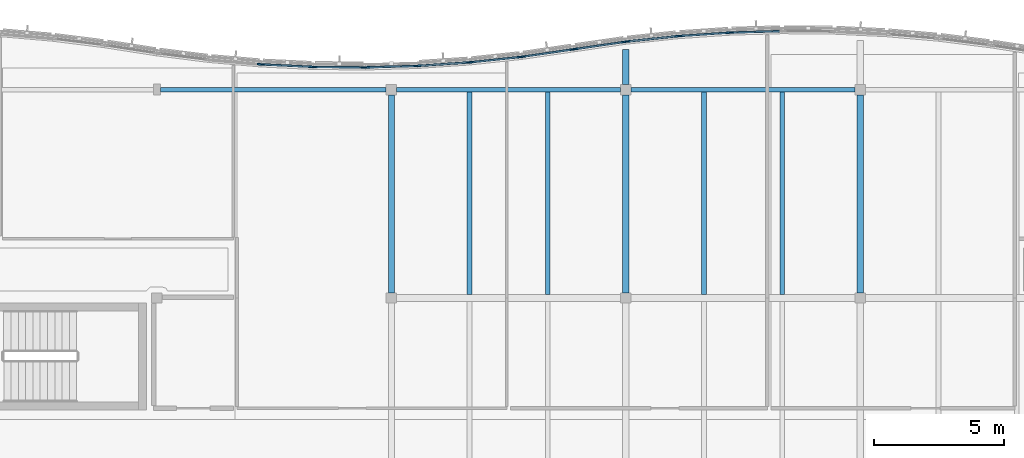
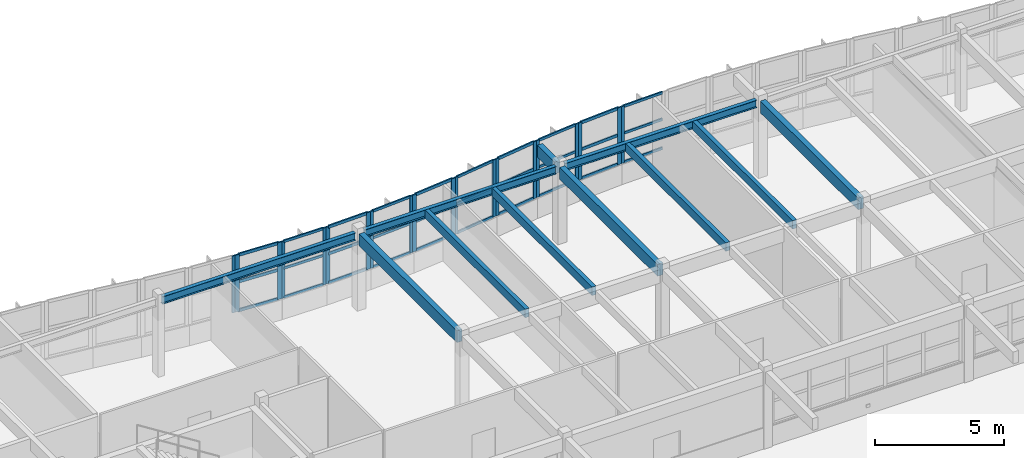
# One storey, part 18 of 63: 50 members, 11 beams, 11 elements without a shape of their own.
"""IFC4 building model written with IfcOpenShell, lengths in metres."""

import ifcopenshell
import ifcopenshell.guid

model = None  # the IFC model being written
_history = None  # IfcOwnerHistory: only IFC2X3 demands one
_inside = {}  # id of a spatial element -> (the spatial element, [elements in it])
_under = {}  # id of a project, library or spatial element -> (it, [spatial elements below it])
_declared = {}  # id of a project -> (the project, [libraries it declares])
_typed = {}  # id of a type object -> (the type object, [elements of that type])
_made_of = {}  # id of a material, layer set ... -> (it, [elements and type objects made of it])


def new_model(schema):
    """Start an empty IFC model of exactly this schema.

    Asked for "IFC4X3", IfcOpenShell would pick the latest addendum, in which some entities
    have other attributes; the version numbers below select the first issue.
    IFC2X3 requires an IfcOwnerHistory on every rooted entity: one is made here for all.
    """
    global model, _history
    if schema == "IFC4X3":
        model = ifcopenshell.file(schema_version=(4, 3, 0, 0))
    else:
        model = ifcopenshell.file(schema=schema)
    _inside.clear()
    _under.clear()
    _declared.clear()
    _typed.clear()
    _made_of.clear()
    _history = None
    if model.schema == "IFC2X3":
        org = make("IfcOrganization", Name="unknown")
        user = make(
            "IfcPersonAndOrganization",
            ThePerson=make("IfcPerson", FamilyName="unknown"),
            TheOrganization=org,
        )
        app = make(
            "IfcApplication",
            ApplicationDeveloper=org,
            Version="unknown",
            ApplicationFullName="unknown",
            ApplicationIdentifier="unknown",
        )
        _history = make(
            "IfcOwnerHistory",
            OwningUser=user,
            OwningApplication=app,
            ChangeAction="ADDED",
            CreationDate=0,
        )
    return model


def make(cls, **values):
    """One entity of the class cls with the attributes given. An attribute that is None is left unset."""
    return model.create_entity(
        cls, **{name: value for name, value in values.items() if value is not None}
    )


def rooted(cls, **values):
    """An entity with a GlobalId (a new one), such as an element, a storey or a relation."""
    return make(cls, GlobalId=ifcopenshell.guid.new(), OwnerHistory=_history, **values)


def si_unit(unit_type, name, prefix=None):
    """IfcSIUnit, for example si_unit("LENGTHUNIT", "METRE", prefix="MILLI")."""
    return make("IfcSIUnit", UnitType=unit_type, Prefix=prefix, Name=name)


def assignment(units):
    """IfcUnitAssignment: the units of a project."""
    return None if units is None else make("IfcUnitAssignment", Units=units)


def point(xyz):
    """IfcCartesianPoint."""
    return None if xyz is None else make("IfcCartesianPoint", Coordinates=xyz)


def direction(xyz):
    """IfcDirection."""
    return None if xyz is None else make("IfcDirection", DirectionRatios=xyz)


def frame(location, z_axis=None, x_axis=None):
    """IfcAxis2Placement3D, a coordinate frame: its origin and axes. An axis left out is left unset."""
    return make(
        "IfcAxis2Placement3D",
        Location=point(location),
        Axis=direction(z_axis),
        RefDirection=direction(x_axis),
    )


def frame_2d(location, x_axis=None):
    """IfcAxis2Placement2D, a coordinate frame in the plane: its origin and x axis."""
    return make(
        "IfcAxis2Placement2D", Location=point(location), RefDirection=direction(x_axis)
    )


def origin():
    """The frame at (0, 0, 0) with its axes left unset."""
    return frame((0.0, 0.0, 0.0))


def origin_2d():
    """The frame at (0, 0) in the plane with its x axis left unset."""
    return frame_2d((0.0, 0.0))


def place(relative_to, where):
    """IfcLocalPlacement: puts the frame where relative to a parent placement (None: the world)."""
    return make(
        "IfcLocalPlacement", PlacementRelTo=relative_to, RelativePlacement=where
    )


def context(
    kind, dimensions, precision=None, world=None, true_north=None, identifier=None
):
    """IfcGeometricRepresentationContext, for example the 3D "Model" context."""
    return make(
        "IfcGeometricRepresentationContext",
        ContextIdentifier=identifier,
        ContextType=kind,
        CoordinateSpaceDimension=dimensions,
        Precision=precision,
        WorldCoordinateSystem=world,
        TrueNorth=true_north,
    )


def subcontext(parent, identifier, kind, view, scale=None):
    """IfcGeometricRepresentationSubContext, for example "Body" below "Model"."""
    return make(
        "IfcGeometricRepresentationSubContext",
        ContextIdentifier=identifier,
        ContextType=kind,
        ParentContext=parent,
        TargetScale=scale,
        TargetView=view,
    )


def project(units=None, contexts=None):
    """IfcProject with its units and contexts."""
    return rooted(
        "IfcProject",
        Name="project",
        RepresentationContexts=contexts,
        UnitsInContext=assignment(units),
    )


def spatial(cls, under=None, at=None, **own):
    """A site, building, storey or space (cls), placed at a placement, below another one or the project."""
    s = rooted(cls, ObjectPlacement=at, **own)
    if under is not None:
        _under.setdefault(under.id(), (under, []))[1].append(s)
    return s


def profile(cls, at=None, kind="AREA", **sizes):
    """A parametric profile (cls). Its sizes go by their IFC names, for example OverallWidth=200.0."""
    return make(cls, ProfileType=kind, Position=at, **sizes)


def rectangle(**sizes):
    """IfcRectangleProfileDef."""
    return profile("IfcRectangleProfileDef", **sizes)


def i_section(**sizes):
    """IfcIShapeProfileDef."""
    return profile("IfcIShapeProfileDef", **sizes)


def extrude(swept, where, along, depth):
    """IfcExtrudedAreaSolid: the profile swept, set in the frame where, extruded along a direction by depth."""
    return make(
        "IfcExtrudedAreaSolid",
        SweptArea=swept,
        Position=where,
        ExtrudedDirection=direction(along),
        Depth=depth,
    )


def shape(context_of_items, identifier, shape_type, items):
    """IfcShapeRepresentation: the items that make up one representation, for example the "Body"."""
    return make(
        "IfcShapeRepresentation",
        ContextOfItems=context_of_items,
        RepresentationIdentifier=identifier,
        RepresentationType=shape_type,
        Items=items,
    )


def material(Name=None, Category=None):
    """IfcMaterial."""
    return make("IfcMaterial", Name=Name, Category=Category)


def layer(
    of_material, thickness, ventilated=None, Name=None, Category=None, Priority=None
):
    """IfcMaterialLayer: one layer of a wall or slab, of a material (None: an air gap)."""
    return make(
        "IfcMaterialLayer",
        Material=of_material,
        LayerThickness=thickness,
        IsVentilated=ventilated,
        Name=Name,
        Category=Category,
        Priority=Priority,
    )


def layer_set(layers, Name=None):
    """IfcMaterialLayerSet."""
    return make("IfcMaterialLayerSet", MaterialLayers=layers, LayerSetName=Name)


def material_profile(
    of_material, cross_section, Name=None, Category=None, Priority=None
):
    """IfcMaterialProfile: a cross section and its material."""
    return make(
        "IfcMaterialProfile",
        Name=Name,
        Material=of_material,
        Profile=cross_section,
        Priority=Priority,
        Category=Category,
    )


def profile_set(profiles, Name=None, composite=None):
    """IfcMaterialProfileSet."""
    return make(
        "IfcMaterialProfileSet",
        Name=Name,
        MaterialProfiles=profiles,
        CompositeProfile=composite,
    )


def made_of(thing, what):
    """Note that an element or type object is made of a material, layer set ...; save() writes the relation."""
    if what is not None:
        _made_of.setdefault(what.id(), (what, []))[1].append(thing)
    return thing


def type_object(cls, material=None, **own):
    """A type object (cls), such as IfcWallType, which elements share."""
    return made_of(rooted(cls, **own), material)


def element(
    cls,
    number,
    at=None,
    inside=None,
    cuts=None,
    type_object=None,
    material=None,
    context=None,
    identifier="Body",
    shape_type=None,
    held_by="IfcProductDefinitionShape",
    body=None,
    shapes=None,
    **own,
):
    """One element of the class cls, such as IfcWall. Its Tag is "e" and its number.

    at: its placement. inside: the storey or other place that contains it. cuts: it is an
    opening in that element (IfcRelVoidsElement). A single representation is given by context,
    identifier, shape_type and body (its items); several are given by shapes. held_by: the class
    of the entity that holds the representations. save() writes the other relations.
    """
    e = rooted(cls, Tag="e%d" % number, ObjectPlacement=at, **own)
    if body is not None:
        shapes = [shape(context, identifier, shape_type, body)]
    if shapes is not None:
        e.Representation = make(held_by, Representations=shapes)
    if inside is not None:
        _inside.setdefault(inside.id(), (inside, []))[1].append(e)
    if cuts is not None:
        rooted(
            "IfcRelVoidsElement", RelatingBuildingElement=cuts, RelatedOpeningElement=e
        )
    if type_object is not None:
        _typed.setdefault(type_object.id(), (type_object, []))[1].append(e)
    return made_of(e, material)


def aggregate(whole, parts):
    """IfcRelAggregates: a whole, such as a stair, and the parts it consists of."""
    return rooted("IfcRelAggregates", RelatingObject=whole, RelatedObjects=parts)


def save(model, path):
    """Write the relations noted so far, then the file.

    IfcRelAggregates (storeys below a building ...), IfcRelContainedInSpatialStructure (elements
    in a storey), IfcRelDefinesByType, IfcRelAssociatesMaterial and IfcRelDeclares: one each for
    every whole, place, type object, material and project.
    """
    for whole, parts in _under.values():
        aggregate(whole, parts)
    for where, things in _inside.values():
        rooted(
            "IfcRelContainedInSpatialStructure",
            RelatedElements=things,
            RelatingStructure=where,
        )
    for kind, things in _typed.values():
        rooted("IfcRelDefinesByType", RelatedObjects=things, RelatingType=kind)
    for what, things in _made_of.values():
        rooted("IfcRelAssociatesMaterial", RelatedObjects=things, RelatingMaterial=what)
    for by, libraries in _declared.values():
        rooted("IfcRelDeclares", RelatingContext=by, RelatedDefinitions=libraries)
    model.write(path)


model = new_model("IFC4")

# Units and contexts
model_context = context("Model", 3, precision=1e-05, world=origin(), true_north=direction((0.0, 1.0)))
body_context = subcontext(model_context, "Body", "Model", "MODEL_VIEW")
ifc_project = project(units=[si_unit("LENGTHUNIT", "METRE"), si_unit("AREAUNIT", "SQUARE_METRE"), si_unit("VOLUMEUNIT", "CUBIC_METRE"), si_unit("PLANEANGLEUNIT", "RADIAN"), si_unit("MASSUNIT", "GRAM", prefix="KILO")], contexts=[model_context])

# Site, building, storey
site_placement = place(None, origin())
site = spatial("IfcSite", under=ifc_project, at=site_placement, CompositionType="ELEMENT")
building_placement = place(site_placement, origin())
building = spatial("IfcBuilding", under=site, at=building_placement, Name="Tonlespit Floodbar School", CompositionType="ELEMENT")
storey_placement = place(building_placement, frame((0.0, 0.0, 8.39990234375)))
storey = spatial("IfcBuildingStorey", under=building, at=storey_placement, Name="L02", CompositionType="ELEMENT", Elevation=8.39990234375)

# Beams
ifc_material_1 = material(Name="Glulam GL28h", Category="wood")
ifc_material_profile_1 = material_profile(ifc_material_1, rectangle(XDim=0.239990234375, YDim=0.56005859375, at=origin_2d()), Name="GL 240x560")
ifc_profile_set_1 = profile_set([ifc_material_profile_1], Name="Glulam GL28h")
beam_type_1 = type_object("IfcBeamType", Name="Beam_GL_240x560", PredefinedType="BEAM", material=ifc_profile_set_1)
for number, where, z_axis, x_axis, name in (
    (1, (71.0, 112.199951171875, 3.3701171875), (0.0, 1.0, 0.0), (-1.0, 0.0, 0.0), "L02 girder 1038"),
    (2, (80.0, 112.199951171875, 3.3701171875), (0.0, 1.0, 0.0), (-1.0, 0.0, 0.0), "L02 girder 1040"),
    (3, (89.0, 112.199951171875, 3.3701171875), (0.0, 1.0, 0.0), (-1.0, 0.0, 0.0), "L02 girder 1042"),
):
    element("IfcBeam", number, at=place(storey_placement, frame(where, z_axis=z_axis, x_axis=x_axis)), inside=storey, type_object=beam_type_1, Name=name, PredefinedType="BEAM", context=body_context, shape_type="SweptSolid", body=[
        extrude(rectangle(XDim=0.239990234375, YDim=0.56005859375, at=origin_2d()), origin(), (0.0, 0.0, 1.0), 7.60009765625),
    ])
beam_1_placement = place(storey_placement, frame((80.0, 120.199951171875, 3.3701171875), z_axis=(0.0, 1.0, 0.0), x_axis=(-1.0, 0.0, 0.0)))
element("IfcBeam", 4, at=beam_1_placement, inside=storey, type_object=beam_type_1, Name="L02 north street wave cantilever bracket", PredefinedType="BEAM", context=body_context, shape_type="SweptSolid", body=[
    extrude(rectangle(XDim=0.239990234375, YDim=0.56005859375, at=origin_2d()), origin(), (0.0, 0.0, 1.0), 1.341552734375),
])

# Curtain wall, member
ifc_material_2 = material(Name="Anodised Aluminium", Category="aluminium")
ifc_layer_1 = layer(ifc_material_2, 0.159912109375)
ifc_layer_set_1 = layer_set([ifc_layer_1], Name="Anodised Aluminium")
curtain_wall_type_1 = type_object("IfcCurtainWallType", Name="CurtainWall_1950x2700", PredefinedType="NOTDEFINED", material=ifc_layer_set_1)
curtain_wall_1_placement = place(storey_placement, origin())
curtain_wall_1 = element("IfcCurtainWall", 5, at=curtain_wall_1_placement, inside=storey, type_object=curtain_wall_type_1, Name="L02 unitised curtain wall 0092", PredefinedType="NOTDEFINED")
ifc_material_profile_2 = material_profile(ifc_material_2, rectangle(XDim=0.06494140625, YDim=0.14990234375, at=origin_2d()), Name="ALU M65x150")
ifc_profile_set_2 = profile_set([ifc_material_profile_2], Name="Anodised Aluminium")
member_type_1 = type_object("IfcMemberType", Name="CW_Mullion_65x150", PredefinedType="MULLION", material=ifc_profile_set_2)
member_1_placement = place(storey_placement, frame((65.927734375, 120.974853515625, 0.9501953125), z_axis=(0.0, 0.0, 1.0), x_axis=(0.086531117454, 0.996249148412, 0.0)))
member_1 = element("IfcMember", 6, at=member_1_placement, type_object=member_type_1, Name="CW-04 mullion 2", PredefinedType="MULLION", context=body_context, shape_type="SweptSolid", body=[
    extrude(rectangle(XDim=0.06494140625, YDim=0.14990234375, at=origin_2d()), origin(), (0.0, 0.0, 1.0), 2.699951171875),
])
aggregate(curtain_wall_1, [member_1])

# Curtain wall, members
ifc_layer_2 = layer(ifc_material_2, 0.159912109375)
ifc_layer_set_2 = layer_set([ifc_layer_2], Name="Anodised Aluminium")
curtain_wall_type_2 = type_object("IfcCurtainWallType", Name="CurtainWall_1900x2700", PredefinedType="NOTDEFINED", material=ifc_layer_set_2)
curtain_wall_2_placement = place(storey_placement, origin())
curtain_wall_2 = element("IfcCurtainWall", 7, at=curtain_wall_2_placement, inside=storey, type_object=curtain_wall_type_2, Name="L02 unitised curtain wall 0094", PredefinedType="NOTDEFINED")
member_2_placement = place(storey_placement, frame((68.072509765625, 120.87158203125, 0.9501953125), z_axis=(0.0, 0.0, 1.0), x_axis=(0.009582893292, 0.999954083024, 0.0)))
member_2 = element("IfcMember", 8, at=member_2_placement, type_object=member_type_1, Name="CW-05 mullion 1", PredefinedType="MULLION", context=body_context, shape_type="SweptSolid", body=[
    extrude(rectangle(XDim=0.06494140625, YDim=0.14990234375, at=origin_2d()), origin(), (0.0, 0.0, 1.0), 2.699951171875),
])
member_3_placement = place(storey_placement, frame((69.927490234375, 120.853759765625, 0.9501953125), z_axis=(0.0, 0.0, 1.0), x_axis=(0.009582893292, 0.999954083024, 0.0)))
member_3 = element("IfcMember", 9, at=member_3_placement, type_object=member_type_1, Name="CW-05 mullion 2", PredefinedType="MULLION", context=body_context, shape_type="SweptSolid", body=[
    extrude(rectangle(XDim=0.06494140625, YDim=0.14990234375, at=origin_2d()), origin(), (0.0, 0.0, 1.0), 2.699951171875),
])

curtain_wall_3_placement = place(storey_placement, origin())
curtain_wall_3 = element("IfcCurtainWall", 10, at=curtain_wall_3_placement, inside=storey, type_object=curtain_wall_type_2, Name="L02 unitised curtain wall 0096", PredefinedType="NOTDEFINED")
member_4_placement = place(storey_placement, frame((72.072265625, 120.91552734375, 0.9501953125), z_axis=(0.0, 0.0, 1.0), x_axis=(-0.067339767311, 0.99773010165, 0.0)))
member_4 = element("IfcMember", 11, at=member_4_placement, type_object=member_type_1, Name="CW-05 mullion 1", PredefinedType="MULLION", context=body_context, shape_type="SweptSolid", body=[
    extrude(rectangle(XDim=0.06494140625, YDim=0.14990234375, at=origin_2d()), origin(), (0.0, 0.0, 1.0), 2.699951171875),
])
member_5_placement = place(storey_placement, frame((73.927734375, 121.040771484375, 0.9501953125), z_axis=(0.0, 0.0, 1.0), x_axis=(-0.067339767311, 0.99773010165, 0.0)))
member_5 = element("IfcMember", 12, at=member_5_placement, type_object=member_type_1, Name="CW-05 mullion 2", PredefinedType="MULLION", context=body_context, shape_type="SweptSolid", body=[
    extrude(rectangle(XDim=0.06494140625, YDim=0.14990234375, at=origin_2d()), origin(), (0.0, 0.0, 1.0), 2.699951171875),
])

curtain_wall_4_placement = place(storey_placement, origin())
curtain_wall_4 = element("IfcCurtainWall", 13, at=curtain_wall_4_placement, inside=storey, type_object=curtain_wall_type_1, Name="L02 unitised curtain wall 0098", PredefinedType="NOTDEFINED")
member_6_placement = place(storey_placement, frame((76.07177734375, 121.268798828125, 0.9501953125), z_axis=(0.0, 0.0, 1.0), x_axis=(-0.144248041079, 0.989541561858, 0.0)))
member_6 = element("IfcMember", 14, at=member_6_placement, type_object=member_type_1, Name="CW-04 mullion 1", PredefinedType="MULLION", context=body_context, shape_type="SweptSolid", body=[
    extrude(rectangle(XDim=0.06494140625, YDim=0.14990234375, at=origin_2d()), origin(), (0.0, 0.0, 1.0), 2.699951171875),
])
member_7_placement = place(storey_placement, frame((77.92822265625, 121.53955078125, 0.9501953125), z_axis=(0.0, 0.0, 1.0), x_axis=(-0.144248041079, 0.989541561858, 0.0)))
member_7 = element("IfcMember", 15, at=member_7_placement, type_object=member_type_1, Name="CW-04 mullion 2", PredefinedType="MULLION", context=body_context, shape_type="SweptSolid", body=[
    extrude(rectangle(XDim=0.06494140625, YDim=0.14990234375, at=origin_2d()), origin(), (0.0, 0.0, 1.0), 2.699951171875),
])

curtain_wall_5_placement = place(storey_placement, origin())
curtain_wall_5 = element("IfcCurtainWall", 16, at=curtain_wall_5_placement, inside=storey, type_object=curtain_wall_type_1, Name="L02 unitised curtain wall 0100", PredefinedType="NOTDEFINED")
member_8_placement = place(storey_placement, frame((80.072021484375, 121.84912109375, 0.9501953125), z_axis=(0.0, 0.0, 1.0), x_axis=(-0.105787143968, 0.994388797288, 0.0)))
member_8 = element("IfcMember", 17, at=member_8_placement, type_object=member_type_1, Name="CW-04 mullion 1", PredefinedType="MULLION", context=body_context, shape_type="SweptSolid", body=[
    extrude(rectangle(XDim=0.06494140625, YDim=0.14990234375, at=origin_2d()), origin(), (0.0, 0.0, 1.0), 2.699951171875),
])
member_9_placement = place(storey_placement, frame((81.927978515625, 122.046630859375, 0.9501953125), z_axis=(0.0, 0.0, 1.0), x_axis=(-0.105787143968, 0.994388797288, 0.0)))
member_9 = element("IfcMember", 18, at=member_9_placement, type_object=member_type_1, Name="CW-04 mullion 2", PredefinedType="MULLION", context=body_context, shape_type="SweptSolid", body=[
    extrude(rectangle(XDim=0.06494140625, YDim=0.14990234375, at=origin_2d()), origin(), (0.0, 0.0, 1.0), 2.699951171875),
])

# Curtain wall, member
curtain_wall_6_placement = place(storey_placement, origin())
curtain_wall_6 = element("IfcCurtainWall", 19, at=curtain_wall_6_placement, inside=storey, type_object=curtain_wall_type_2, Name="L02 unitised curtain wall 0102", PredefinedType="NOTDEFINED")
member_10_placement = place(storey_placement, frame((84.072509765625, 122.19140625, 0.9501953125), z_axis=(0.0, 0.0, 1.0), x_axis=(-0.028790144226, 0.999585477883, 0.0)))
member_10 = element("IfcMember", 20, at=member_10_placement, type_object=member_type_1, Name="CW-05 mullion 1", PredefinedType="MULLION", context=body_context, shape_type="SweptSolid", body=[
    extrude(rectangle(XDim=0.06494140625, YDim=0.14990234375, at=origin_2d()), origin(), (0.0, 0.0, 1.0), 2.699951171875),
])

# Curtain wall, members
curtain_wall_7_placement = place(storey_placement, origin())
curtain_wall_7 = element("IfcCurtainWall", 21, at=curtain_wall_7_placement, inside=storey, type_object=curtain_wall_type_2, Name="L02 unitised curtain wall 0093", PredefinedType="NOTDEFINED")
ifc_material_profile_3 = material_profile(ifc_material_2, rectangle(XDim=0.06494140625, YDim=0.179931640625, at=origin_2d()), Name="ALU M65x180")
ifc_profile_set_3 = profile_set([ifc_material_profile_3], Name="Anodised Aluminium")
member_type_2 = type_object("IfcMemberType", Name="CW_Mullion_65x180", PredefinedType="MULLION", material=ifc_profile_set_3)
member_11_placement = place(storey_placement, frame((66.072509765625, 120.965087890625, 0.9501953125), z_axis=(0.0, 0.0, 1.0), x_axis=(0.048121270216, 0.998841500616, 0.0)))
member_11 = element("IfcMember", 22, at=member_11_placement, type_object=member_type_2, Name="CW-05 mullion 1", PredefinedType="MULLION", context=body_context, shape_type="SweptSolid", body=[
    extrude(rectangle(XDim=0.06494140625, YDim=0.179931640625, at=origin_2d()), origin(), (0.0, 0.0, 1.0), 2.699951171875),
])
member_12_placement = place(storey_placement, frame((67.927490234375, 120.875732421875, 0.9501953125), z_axis=(0.0, 0.0, 1.0), x_axis=(0.048121270216, 0.998841500616, 0.0)))
member_12 = element("IfcMember", 23, at=member_12_placement, type_object=member_type_2, Name="CW-05 mullion 2", PredefinedType="MULLION", context=body_context, shape_type="SweptSolid", body=[
    extrude(rectangle(XDim=0.06494140625, YDim=0.179931640625, at=origin_2d()), origin(), (0.0, 0.0, 1.0), 2.699951171875),
])

curtain_wall_8_placement = place(storey_placement, origin())
curtain_wall_8 = element("IfcCurtainWall", 24, at=curtain_wall_8_placement, inside=storey, type_object=curtain_wall_type_2, Name="L02 unitised curtain wall 0095", PredefinedType="NOTDEFINED")
member_13_placement = place(storey_placement, frame((70.072509765625, 120.855224609375, 0.9501953125), z_axis=(0.0, 0.0, 1.0), x_axis=(-0.028790144226, 0.999585477883, 0.0)))
member_13 = element("IfcMember", 25, at=member_13_placement, type_object=member_type_2, Name="CW-05 mullion 1", PredefinedType="MULLION", context=body_context, shape_type="SweptSolid", body=[
    extrude(rectangle(XDim=0.06494140625, YDim=0.179931640625, at=origin_2d()), origin(), (0.0, 0.0, 1.0), 2.699951171875),
])
member_14_placement = place(storey_placement, frame((71.927490234375, 120.908447265625, 0.9501953125), z_axis=(0.0, 0.0, 1.0), x_axis=(-0.028790144226, 0.999585477883, 0.0)))
member_14 = element("IfcMember", 26, at=member_14_placement, type_object=member_type_2, Name="CW-05 mullion 2", PredefinedType="MULLION", context=body_context, shape_type="SweptSolid", body=[
    extrude(rectangle(XDim=0.06494140625, YDim=0.179931640625, at=origin_2d()), origin(), (0.0, 0.0, 1.0), 2.699951171875),
])

curtain_wall_9_placement = place(storey_placement, origin())
curtain_wall_9 = element("IfcCurtainWall", 27, at=curtain_wall_9_placement, inside=storey, type_object=curtain_wall_type_1, Name="L02 unitised curtain wall 0097", PredefinedType="NOTDEFINED")
member_15_placement = place(storey_placement, frame((74.072021484375, 121.05322265625, 0.9501953125), z_axis=(0.0, 0.0, 1.0), x_axis=(-0.105787143968, 0.994388797288, 0.0)))
member_15 = element("IfcMember", 28, at=member_15_placement, type_object=member_type_2, Name="CW-04 mullion 1", PredefinedType="MULLION", context=body_context, shape_type="SweptSolid", body=[
    extrude(rectangle(XDim=0.06494140625, YDim=0.179931640625, at=origin_2d()), origin(), (0.0, 0.0, 1.0), 2.699951171875),
])
member_16_placement = place(storey_placement, frame((75.927978515625, 121.250732421875, 0.9501953125), z_axis=(0.0, 0.0, 1.0), x_axis=(-0.105787143968, 0.994388797288, 0.0)))
member_16 = element("IfcMember", 29, at=member_16_placement, type_object=member_type_2, Name="CW-04 mullion 2", PredefinedType="MULLION", context=body_context, shape_type="SweptSolid", body=[
    extrude(rectangle(XDim=0.06494140625, YDim=0.179931640625, at=origin_2d()), origin(), (0.0, 0.0, 1.0), 2.699951171875),
])

curtain_wall_10_placement = place(storey_placement, origin())
curtain_wall_10 = element("IfcCurtainWall", 30, at=curtain_wall_10_placement, inside=storey, type_object=curtain_wall_type_1, Name="L02 unitised curtain wall 0099", PredefinedType="NOTDEFINED")
member_17_placement = place(storey_placement, frame((78.07177734375, 121.560546875, 0.9501953125), z_axis=(0.0, 0.0, 1.0), x_axis=(-0.144248041079, 0.989541561858, 0.0)))
member_17 = element("IfcMember", 31, at=member_17_placement, type_object=member_type_2, Name="CW-04 mullion 1", PredefinedType="MULLION", context=body_context, shape_type="SweptSolid", body=[
    extrude(rectangle(XDim=0.06494140625, YDim=0.179931640625, at=origin_2d()), origin(), (0.0, 0.0, 1.0), 2.699951171875),
])
member_18_placement = place(storey_placement, frame((79.92822265625, 121.8310546875, 0.9501953125), z_axis=(0.0, 0.0, 1.0), x_axis=(-0.144248041079, 0.989541561858, 0.0)))
member_18 = element("IfcMember", 32, at=member_18_placement, type_object=member_type_2, Name="CW-04 mullion 2", PredefinedType="MULLION", context=body_context, shape_type="SweptSolid", body=[
    extrude(rectangle(XDim=0.06494140625, YDim=0.179931640625, at=origin_2d()), origin(), (0.0, 0.0, 1.0), 2.699951171875),
])

curtain_wall_11_placement = place(storey_placement, origin())
curtain_wall_11 = element("IfcCurtainWall", 33, at=curtain_wall_11_placement, inside=storey, type_object=curtain_wall_type_2, Name="L02 unitised curtain wall 0101", PredefinedType="NOTDEFINED")
member_19_placement = place(storey_placement, frame((82.072265625, 122.05908203125, 0.9501953125), z_axis=(0.0, 0.0, 1.0), x_axis=(-0.067339767311, 0.99773010165, 0.0)))
member_19 = element("IfcMember", 34, at=member_19_placement, type_object=member_type_2, Name="CW-05 mullion 1", PredefinedType="MULLION", context=body_context, shape_type="SweptSolid", body=[
    extrude(rectangle(XDim=0.06494140625, YDim=0.179931640625, at=origin_2d()), origin(), (0.0, 0.0, 1.0), 2.699951171875),
])
member_20_placement = place(storey_placement, frame((83.927734375, 122.184326171875, 0.9501953125), z_axis=(0.0, 0.0, 1.0), x_axis=(-0.067339767311, 0.99773010165, 0.0)))
member_20 = element("IfcMember", 35, at=member_20_placement, type_object=member_type_2, Name="CW-05 mullion 2", PredefinedType="MULLION", context=body_context, shape_type="SweptSolid", body=[
    extrude(rectangle(XDim=0.06494140625, YDim=0.179931640625, at=origin_2d()), origin(), (0.0, 0.0, 1.0), 2.699951171875),
])

# Member
ifc_material_profile_4 = material_profile(ifc_material_2, rectangle(XDim=0.06494140625, YDim=0.1201171875, at=origin_2d()), Name="ALU T65x120")
ifc_profile_set_4 = profile_set([ifc_material_profile_4], Name="Anodised Aluminium")
member_type_3 = type_object("IfcMemberType", Name="CW_Transom_65x120", PredefinedType="USERDEFINED", material=ifc_profile_set_4)
member_21_placement = place(storey_placement, frame((68.10498046875, 120.87109375, 0.982666015625), z_axis=(0.999954428693, -0.00954675532, 0.0), x_axis=(0.00954675532, 0.999954428693, 0.0)))
member_21 = element("IfcMember", 36, at=member_21_placement, type_object=member_type_3, Name="CW-05 transom 1.1", ObjectType="TRANSOM", PredefinedType="USERDEFINED", context=body_context, shape_type="SweptSolid", body=[
    extrude(rectangle(XDim=0.06494140625, YDim=0.1201171875, at=origin_2d()), origin(), (0.0, 0.0, 1.0), 1.7900390625),
])

member_22_placement = place(storey_placement, frame((68.10498046875, 120.87109375, 2.35400390625), z_axis=(0.999954428693, -0.00954675532, 0.0), x_axis=(0.00954675532, 0.999954428693, 0.0)))
member_22 = element("IfcMember", 37, at=member_22_placement, type_object=member_type_3, Name="CW-05 transom 1.2", ObjectType="TRANSOM", PredefinedType="USERDEFINED", context=body_context, shape_type="SweptSolid", body=[
    extrude(rectangle(XDim=0.06494140625, YDim=0.1201171875, at=origin_2d()), origin(), (0.0, 0.0, 1.0), 1.7900390625),
])

member_23_placement = place(storey_placement, frame((68.10498046875, 120.87109375, 3.61767578125), z_axis=(0.999954428693, -0.00954675532, 0.0), x_axis=(0.00954675532, 0.999954428693, 0.0)))
member_23 = element("IfcMember", 38, at=member_23_placement, type_object=member_type_3, Name="CW-05 transom 1.3", ObjectType="TRANSOM", PredefinedType="USERDEFINED", context=body_context, shape_type="SweptSolid", body=[
    extrude(rectangle(XDim=0.06494140625, YDim=0.1201171875, at=origin_2d()), origin(), (0.0, 0.0, 1.0), 1.7900390625),
])

aggregate(curtain_wall_2, [member_2, member_3, member_21, member_22, member_23])

member_24_placement = place(storey_placement, frame((72.104736328125, 120.917724609375, 0.982666015625), z_axis=(0.997730041674, 0.067340655935, 0.0), x_axis=(-0.067340655935, 0.997730041674, 0.0)))
member_24 = element("IfcMember", 39, at=member_24_placement, type_object=member_type_3, Name="CW-05 transom 1.1", ObjectType="TRANSOM", PredefinedType="USERDEFINED", context=body_context, shape_type="SweptSolid", body=[
    extrude(rectangle(XDim=0.06494140625, YDim=0.1201171875, at=origin_2d()), origin(), (0.0, 0.0, 1.0), 1.794677734375),
])

member_25_placement = place(storey_placement, frame((72.104736328125, 120.917724609375, 2.35400390625), z_axis=(0.997730041674, 0.067340655935, 0.0), x_axis=(-0.067340655935, 0.997730041674, 0.0)))
member_25 = element("IfcMember", 40, at=member_25_placement, type_object=member_type_3, Name="CW-05 transom 1.2", ObjectType="TRANSOM", PredefinedType="USERDEFINED", context=body_context, shape_type="SweptSolid", body=[
    extrude(rectangle(XDim=0.06494140625, YDim=0.1201171875, at=origin_2d()), origin(), (0.0, 0.0, 1.0), 1.794677734375),
])

member_26_placement = place(storey_placement, frame((72.104736328125, 120.917724609375, 3.61767578125), z_axis=(0.997730041674, 0.067340655935, 0.0), x_axis=(-0.067340655935, 0.997730041674, 0.0)))
member_26 = element("IfcMember", 41, at=member_26_placement, type_object=member_type_3, Name="CW-05 transom 1.3", ObjectType="TRANSOM", PredefinedType="USERDEFINED", context=body_context, shape_type="SweptSolid", body=[
    extrude(rectangle(XDim=0.06494140625, YDim=0.1201171875, at=origin_2d()), origin(), (0.0, 0.0, 1.0), 1.794677734375),
])

aggregate(curtain_wall_3, [member_4, member_5, member_24, member_25, member_26])

member_27_placement = place(storey_placement, frame((76.10400390625, 121.273681640625, 0.982666015625), z_axis=(0.989541000818, 0.144251889765, 0.0), x_axis=(-0.144251889765, 0.989541000818, 0.0)))
member_27 = element("IfcMember", 42, at=member_27_placement, type_object=member_type_3, Name="CW-04 transom 1.1", ObjectType="TRANSOM", PredefinedType="USERDEFINED", context=body_context, shape_type="SweptSolid", body=[
    extrude(rectangle(XDim=0.06494140625, YDim=0.1201171875, at=origin_2d()), origin(), (0.0, 0.0, 1.0), 1.81103515625),
])

member_28_placement = place(storey_placement, frame((76.10400390625, 121.273681640625, 2.35400390625), z_axis=(0.989541000818, 0.144251889765, 0.0), x_axis=(-0.144251889765, 0.989541000818, 0.0)))
member_28 = element("IfcMember", 43, at=member_28_placement, type_object=member_type_3, Name="CW-04 transom 1.2", ObjectType="TRANSOM", PredefinedType="USERDEFINED", context=body_context, shape_type="SweptSolid", body=[
    extrude(rectangle(XDim=0.06494140625, YDim=0.1201171875, at=origin_2d()), origin(), (0.0, 0.0, 1.0), 1.81103515625),
])

member_29_placement = place(storey_placement, frame((76.10400390625, 121.273681640625, 3.61767578125), z_axis=(0.989541000818, 0.144251889765, 0.0), x_axis=(-0.144251889765, 0.989541000818, 0.0)))
member_29 = element("IfcMember", 44, at=member_29_placement, type_object=member_type_3, Name="CW-04 transom 1.3", ObjectType="TRANSOM", PredefinedType="USERDEFINED", context=body_context, shape_type="SweptSolid", body=[
    extrude(rectangle(XDim=0.06494140625, YDim=0.1201171875, at=origin_2d()), origin(), (0.0, 0.0, 1.0), 1.81103515625),
])

aggregate(curtain_wall_4, [member_6, member_7, member_27, member_28, member_29])

member_30_placement = place(storey_placement, frame((80.1044921875, 121.852783203125, 0.982666015625), z_axis=(0.994394979136, 0.105729019047, 0.0), x_axis=(-0.105729019047, 0.994394979136, 0.0)))
member_30 = element("IfcMember", 45, at=member_30_placement, type_object=member_type_3, Name="CW-04 transom 1.1", ObjectType="TRANSOM", PredefinedType="USERDEFINED", context=body_context, shape_type="SweptSolid", body=[
    extrude(rectangle(XDim=0.06494140625, YDim=0.1201171875, at=origin_2d()), origin(), (0.0, 0.0, 1.0), 1.801025390625),
])

member_31_placement = place(storey_placement, frame((80.1044921875, 121.852783203125, 2.35400390625), z_axis=(0.994394979136, 0.105729019047, 0.0), x_axis=(-0.105729019047, 0.994394979136, 0.0)))
member_31 = element("IfcMember", 46, at=member_31_placement, type_object=member_type_3, Name="CW-04 transom 1.2", ObjectType="TRANSOM", PredefinedType="USERDEFINED", context=body_context, shape_type="SweptSolid", body=[
    extrude(rectangle(XDim=0.06494140625, YDim=0.1201171875, at=origin_2d()), origin(), (0.0, 0.0, 1.0), 1.801025390625),
])

member_32_placement = place(storey_placement, frame((80.1044921875, 121.852783203125, 3.61767578125), z_axis=(0.994394979136, 0.105729019047, 0.0), x_axis=(-0.105729019047, 0.994394979136, 0.0)))
member_32 = element("IfcMember", 47, at=member_32_placement, type_object=member_type_3, Name="CW-04 transom 1.3", ObjectType="TRANSOM", PredefinedType="USERDEFINED", context=body_context, shape_type="SweptSolid", body=[
    extrude(rectangle(XDim=0.06494140625, YDim=0.1201171875, at=origin_2d()), origin(), (0.0, 0.0, 1.0), 1.801025390625),
])

aggregate(curtain_wall_5, [member_8, member_9, member_30, member_31, member_32])

member_33_placement = place(storey_placement, frame((84.10498046875, 122.1923828125, 0.982666015625), z_axis=(0.999586171543, 0.02876605049, 0.0), x_axis=(-0.02876605049, 0.999586171543, 0.0)))
member_33 = element("IfcMember", 48, at=member_33_placement, type_object=member_type_3, Name="CW-05 transom 1.1", ObjectType="TRANSOM", PredefinedType="USERDEFINED", context=body_context, shape_type="SweptSolid", body=[
    extrude(rectangle(XDim=0.06494140625, YDim=0.1201171875, at=origin_2d()), origin(), (0.0, 0.0, 1.0), 1.790771484375),
])

member_34_placement = place(storey_placement, frame((84.10498046875, 122.1923828125, 2.35400390625), z_axis=(0.999586171543, 0.02876605049, 0.0), x_axis=(-0.02876605049, 0.999586171543, 0.0)))
member_34 = element("IfcMember", 49, at=member_34_placement, type_object=member_type_3, Name="CW-05 transom 1.2", ObjectType="TRANSOM", PredefinedType="USERDEFINED", context=body_context, shape_type="SweptSolid", body=[
    extrude(rectangle(XDim=0.06494140625, YDim=0.1201171875, at=origin_2d()), origin(), (0.0, 0.0, 1.0), 1.790771484375),
])

member_35_placement = place(storey_placement, frame((84.10498046875, 122.1923828125, 3.61767578125), z_axis=(0.999586171543, 0.02876605049, 0.0), x_axis=(-0.02876605049, 0.999586171543, 0.0)))
member_35 = element("IfcMember", 50, at=member_35_placement, type_object=member_type_3, Name="CW-05 transom 1.3", ObjectType="TRANSOM", PredefinedType="USERDEFINED", context=body_context, shape_type="SweptSolid", body=[
    extrude(rectangle(XDim=0.06494140625, YDim=0.1201171875, at=origin_2d()), origin(), (0.0, 0.0, 1.0), 1.790771484375),
])

aggregate(curtain_wall_6, [member_10, member_33, member_34, member_35])

ifc_material_profile_5 = material_profile(ifc_material_2, rectangle(XDim=0.06494140625, YDim=0.139892578125, at=origin_2d()), Name="ALU T65x140")
ifc_profile_set_5 = profile_set([ifc_material_profile_5], Name="Anodised Aluminium")
member_type_4 = type_object("IfcMemberType", Name="CW_Transom_65x140", PredefinedType="USERDEFINED", material=ifc_profile_set_5)
member_36_placement = place(storey_placement, frame((66.10498046875, 120.96337890625, 0.982666015625), z_axis=(0.998843034795, -0.048089415069, 0.0), x_axis=(0.048089415069, 0.998843034795, 0.0)))
member_36 = element("IfcMember", 51, at=member_36_placement, type_object=member_type_4, Name="CW-05 transom 1.1", ObjectType="TRANSOM", PredefinedType="USERDEFINED", context=body_context, shape_type="SweptSolid", body=[
    extrude(rectangle(XDim=0.06494140625, YDim=0.139892578125, at=origin_2d()), origin(), (0.0, 0.0, 1.0), 1.7919921875),
])

member_37_placement = place(storey_placement, frame((66.10498046875, 120.96337890625, 2.35400390625), z_axis=(0.998843034795, -0.048089415069, 0.0), x_axis=(0.048089415069, 0.998843034795, 0.0)))
member_37 = element("IfcMember", 52, at=member_37_placement, type_object=member_type_4, Name="CW-05 transom 1.2", ObjectType="TRANSOM", PredefinedType="USERDEFINED", context=body_context, shape_type="SweptSolid", body=[
    extrude(rectangle(XDim=0.06494140625, YDim=0.139892578125, at=origin_2d()), origin(), (0.0, 0.0, 1.0), 1.7919921875),
])

member_38_placement = place(storey_placement, frame((66.10498046875, 120.96337890625, 3.61767578125), z_axis=(0.998843034795, -0.048089415069, 0.0), x_axis=(0.048089415069, 0.998843034795, 0.0)))
member_38 = element("IfcMember", 53, at=member_38_placement, type_object=member_type_4, Name="CW-05 transom 1.3", ObjectType="TRANSOM", PredefinedType="USERDEFINED", context=body_context, shape_type="SweptSolid", body=[
    extrude(rectangle(XDim=0.06494140625, YDim=0.139892578125, at=origin_2d()), origin(), (0.0, 0.0, 1.0), 1.7919921875),
])

aggregate(curtain_wall_7, [member_11, member_12, member_36, member_37, member_38])

member_39_placement = place(storey_placement, frame((70.10498046875, 120.85595703125, 0.982666015625), z_axis=(0.999582242166, 0.028902268868, 0.0), x_axis=(-0.028902268868, 0.999582242166, 0.0)))
member_39 = element("IfcMember", 54, at=member_39_placement, type_object=member_type_4, Name="CW-05 transom 1.1", ObjectType="TRANSOM", PredefinedType="USERDEFINED", context=body_context, shape_type="SweptSolid", body=[
    extrude(rectangle(XDim=0.06494140625, YDim=0.139892578125, at=origin_2d()), origin(), (0.0, 0.0, 1.0), 1.790771484375),
])

member_40_placement = place(storey_placement, frame((70.10498046875, 120.85595703125, 2.35400390625), z_axis=(0.999582242166, 0.028902268868, 0.0), x_axis=(-0.028902268868, 0.999582242166, 0.0)))
member_40 = element("IfcMember", 55, at=member_40_placement, type_object=member_type_4, Name="CW-05 transom 1.2", ObjectType="TRANSOM", PredefinedType="USERDEFINED", context=body_context, shape_type="SweptSolid", body=[
    extrude(rectangle(XDim=0.06494140625, YDim=0.139892578125, at=origin_2d()), origin(), (0.0, 0.0, 1.0), 1.790771484375),
])

member_41_placement = place(storey_placement, frame((70.10498046875, 120.85595703125, 3.61767578125), z_axis=(0.999582242166, 0.028902268868, 0.0), x_axis=(-0.028902268868, 0.999582242166, 0.0)))
member_41 = element("IfcMember", 56, at=member_41_placement, type_object=member_type_4, Name="CW-05 transom 1.3", ObjectType="TRANSOM", PredefinedType="USERDEFINED", context=body_context, shape_type="SweptSolid", body=[
    extrude(rectangle(XDim=0.06494140625, YDim=0.139892578125, at=origin_2d()), origin(), (0.0, 0.0, 1.0), 1.790771484375),
])

aggregate(curtain_wall_8, [member_13, member_14, member_39, member_40, member_41])

member_42_placement = place(storey_placement, frame((74.1044921875, 121.056884765625, 0.982666015625), z_axis=(0.994394979136, 0.105729019047, 0.0), x_axis=(-0.105729019047, 0.994394979136, 0.0)))
member_42 = element("IfcMember", 57, at=member_42_placement, type_object=member_type_4, Name="CW-04 transom 1.1", ObjectType="TRANSOM", PredefinedType="USERDEFINED", context=body_context, shape_type="SweptSolid", body=[
    extrude(rectangle(XDim=0.06494140625, YDim=0.139892578125, at=origin_2d()), origin(), (0.0, 0.0, 1.0), 1.801025390625),
])

member_43_placement = place(storey_placement, frame((74.1044921875, 121.056884765625, 2.35400390625), z_axis=(0.994394979136, 0.105729019047, 0.0), x_axis=(-0.105729019047, 0.994394979136, 0.0)))
member_43 = element("IfcMember", 58, at=member_43_placement, type_object=member_type_4, Name="CW-04 transom 1.2", ObjectType="TRANSOM", PredefinedType="USERDEFINED", context=body_context, shape_type="SweptSolid", body=[
    extrude(rectangle(XDim=0.06494140625, YDim=0.139892578125, at=origin_2d()), origin(), (0.0, 0.0, 1.0), 1.801025390625),
])

member_44_placement = place(storey_placement, frame((74.1044921875, 121.056884765625, 3.61767578125), z_axis=(0.994394979136, 0.105729019047, 0.0), x_axis=(-0.105729019047, 0.994394979136, 0.0)))
member_44 = element("IfcMember", 59, at=member_44_placement, type_object=member_type_4, Name="CW-04 transom 1.3", ObjectType="TRANSOM", PredefinedType="USERDEFINED", context=body_context, shape_type="SweptSolid", body=[
    extrude(rectangle(XDim=0.06494140625, YDim=0.139892578125, at=origin_2d()), origin(), (0.0, 0.0, 1.0), 1.801025390625),
])

aggregate(curtain_wall_9, [member_15, member_16, member_42, member_43, member_44])

member_45_placement = place(storey_placement, frame((78.10400390625, 121.565185546875, 0.982666015625), z_axis=(0.989541000818, 0.144251889765, 0.0), x_axis=(-0.144251889765, 0.989541000818, 0.0)))
member_45 = element("IfcMember", 60, at=member_45_placement, type_object=member_type_4, Name="CW-04 transom 1.1", ObjectType="TRANSOM", PredefinedType="USERDEFINED", context=body_context, shape_type="SweptSolid", body=[
    extrude(rectangle(XDim=0.06494140625, YDim=0.139892578125, at=origin_2d()), origin(), (0.0, 0.0, 1.0), 1.81103515625),
])

member_46_placement = place(storey_placement, frame((78.10400390625, 121.565185546875, 2.35400390625), z_axis=(0.989541000818, 0.144251889765, 0.0), x_axis=(-0.144251889765, 0.989541000818, 0.0)))
member_46 = element("IfcMember", 61, at=member_46_placement, type_object=member_type_4, Name="CW-04 transom 1.2", ObjectType="TRANSOM", PredefinedType="USERDEFINED", context=body_context, shape_type="SweptSolid", body=[
    extrude(rectangle(XDim=0.06494140625, YDim=0.139892578125, at=origin_2d()), origin(), (0.0, 0.0, 1.0), 1.81103515625),
])

member_47_placement = place(storey_placement, frame((78.10400390625, 121.565185546875, 3.61767578125), z_axis=(0.989541000818, 0.144251889765, 0.0), x_axis=(-0.144251889765, 0.989541000818, 0.0)))
member_47 = element("IfcMember", 62, at=member_47_placement, type_object=member_type_4, Name="CW-04 transom 1.3", ObjectType="TRANSOM", PredefinedType="USERDEFINED", context=body_context, shape_type="SweptSolid", body=[
    extrude(rectangle(XDim=0.06494140625, YDim=0.139892578125, at=origin_2d()), origin(), (0.0, 0.0, 1.0), 1.81103515625),
])

aggregate(curtain_wall_10, [member_17, member_18, member_45, member_46, member_47])

member_48_placement = place(storey_placement, frame((82.104736328125, 122.061279296875, 0.982666015625), z_axis=(0.997730041674, 0.067340655935, 0.0), x_axis=(-0.067340655935, 0.997730041674, 0.0)))
member_48 = element("IfcMember", 63, at=member_48_placement, type_object=member_type_4, Name="CW-05 transom 1.1", ObjectType="TRANSOM", PredefinedType="USERDEFINED", context=body_context, shape_type="SweptSolid", body=[
    extrude(rectangle(XDim=0.06494140625, YDim=0.139892578125, at=origin_2d()), origin(), (0.0, 0.0, 1.0), 1.794677734375),
])

member_49_placement = place(storey_placement, frame((82.104736328125, 122.061279296875, 2.35400390625), z_axis=(0.997730041674, 0.067340655935, 0.0), x_axis=(-0.067340655935, 0.997730041674, 0.0)))
member_49 = element("IfcMember", 64, at=member_49_placement, type_object=member_type_4, Name="CW-05 transom 1.2", ObjectType="TRANSOM", PredefinedType="USERDEFINED", context=body_context, shape_type="SweptSolid", body=[
    extrude(rectangle(XDim=0.06494140625, YDim=0.139892578125, at=origin_2d()), origin(), (0.0, 0.0, 1.0), 1.794677734375),
])

member_50_placement = place(storey_placement, frame((82.104736328125, 122.061279296875, 3.61767578125), z_axis=(0.997730041674, 0.067340655935, 0.0), x_axis=(-0.067340655935, 0.997730041674, 0.0)))
member_50 = element("IfcMember", 65, at=member_50_placement, type_object=member_type_4, Name="CW-05 transom 1.3", ObjectType="TRANSOM", PredefinedType="USERDEFINED", context=body_context, shape_type="SweptSolid", body=[
    extrude(rectangle(XDim=0.06494140625, YDim=0.139892578125, at=origin_2d()), origin(), (0.0, 0.0, 1.0), 1.794677734375),
])

aggregate(curtain_wall_11, [member_19, member_20, member_48, member_49, member_50])

# Beams
ifc_material_profile_6 = material_profile(ifc_material_1, rectangle(XDim=0.179931640625, YDim=0.39990234375, at=origin_2d()), Name="GL 180x400")
ifc_profile_set_6 = profile_set([ifc_material_profile_6], Name="Glulam GL28h")
beam_type_2 = type_object("IfcBeamType", Name="Joist_GL_180x400", PredefinedType="JOIST", material=ifc_profile_set_6)
for number, where, z_axis, x_axis, name in (
    (66, (74.0, 112.139892578125, 3.4501953125), (0.0, 1.0, 0.0), (-1.0, 0.0, 0.0), "L02 secondary joist 1127"),
    (67, (77.0, 112.139892578125, 3.4501953125), (0.0, 1.0, 0.0), (-1.0, 0.0, 0.0), "L02 secondary joist 1128"),
    (68, (83.0, 112.139892578125, 3.4501953125), (0.0, 1.0, 0.0), (-1.0, 0.0, 0.0), "L02 secondary joist 1129"),
    (69, (86.0, 112.139892578125, 3.4501953125), (0.0, 1.0, 0.0), (-1.0, 0.0, 0.0), "L02 secondary joist 1130"),
):
    element("IfcBeam", number, at=place(storey_placement, frame(where, z_axis=z_axis, x_axis=x_axis)), inside=storey, type_object=beam_type_2, Name=name, PredefinedType="JOIST", context=body_context, shape_type="SweptSolid", body=[
        extrude(rectangle(XDim=0.179931640625, YDim=0.39990234375, at=origin_2d()), origin(), (0.0, 0.0, 1.0), 7.775146484375),
    ])
ifc_material_3 = material(Name="Steel S355", Category="steel")
ifc_material_profile_7 = material_profile(ifc_material_3, i_section(OverallWidth=0.169921875, OverallDepth=0.360107421875, WebThickness=0.008056640625, FlangeThickness=0.0126953125, at=origin_2d()), Name="IPE 360")
ifc_profile_set_7 = profile_set([ifc_material_profile_7], Name="Steel S355")
beam_type_3 = type_object("IfcBeamType", Name="Spandrel_STL_IPE360", PredefinedType="SPANDREL", material=ifc_profile_set_7)
beam_2_placement = place(storey_placement, frame((62.139892578125, 120.0, 3.47021484375), z_axis=(1.0, 0.0, 0.0), x_axis=(0.0, 1.0, 0.0)))
element("IfcBeam", 70, at=beam_2_placement, inside=storey, type_object=beam_type_3, Name="L02 girder 0985", PredefinedType="SPANDREL", context=body_context, shape_type="SweptSolid", body=[
    extrude(i_section(OverallWidth=0.169921875, OverallDepth=0.360107421875, WebThickness=0.008056640625, FlangeThickness=0.0126953125, at=origin_2d()), origin(), (0.0, 0.0, 1.0), 8.66015625),
])
for number, where, z_axis, x_axis, name in (
    (71, (71.199951171875, 120.0, 3.47021484375), (1.0, 0.0, 0.0), (0.0, 1.0, 0.0), "L02 girder 0986"),
    (72, (80.199951171875, 120.0, 3.47021484375), (1.0, 0.0, 0.0), (0.0, 1.0, 0.0), "L02 girder 0987"),
):
    element("IfcBeam", number, at=place(storey_placement, frame(where, z_axis=z_axis, x_axis=x_axis)), inside=storey, type_object=beam_type_3, Name=name, PredefinedType="SPANDREL", context=body_context, shape_type="SweptSolid", body=[
        extrude(i_section(OverallWidth=0.169921875, OverallDepth=0.360107421875, WebThickness=0.008056640625, FlangeThickness=0.0126953125, at=origin_2d()), origin(), (0.0, 0.0, 1.0), 8.60009765625),
    ])

save(model, "model.ifc")
